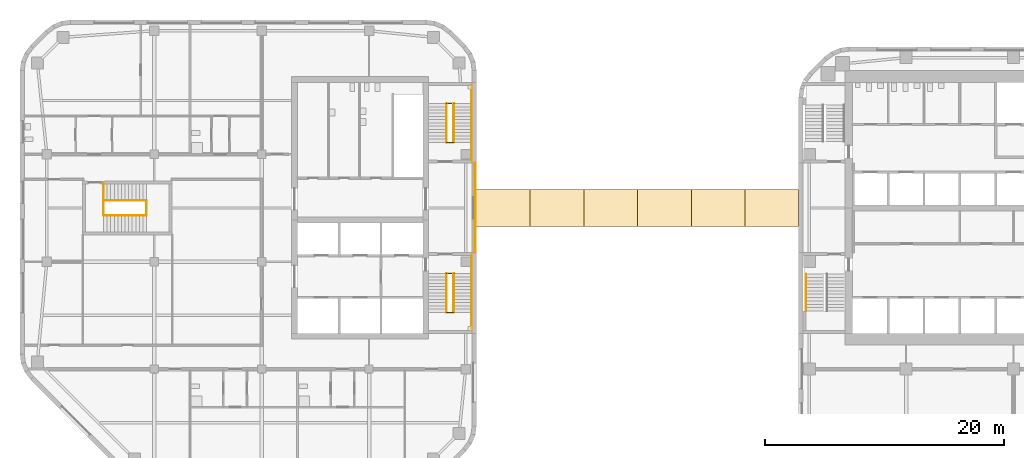
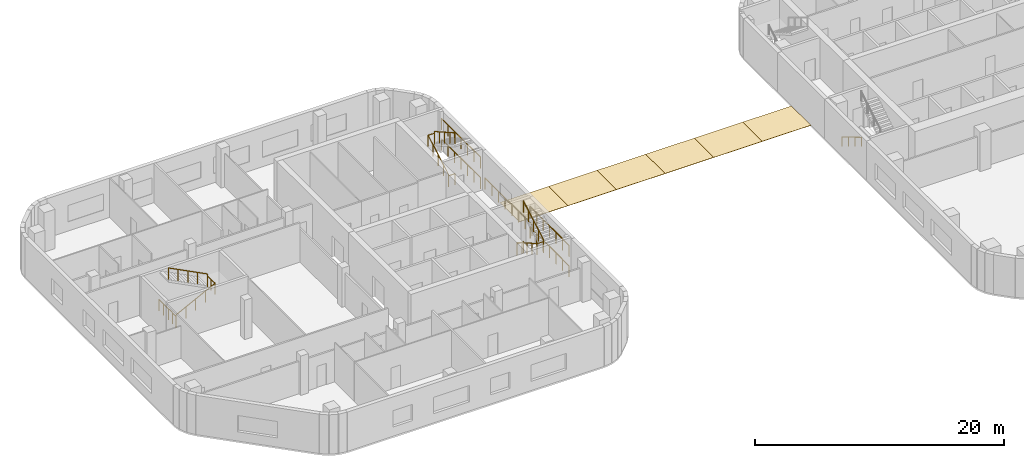
# One storey, part 13 of 15: 19 railings, 6 coverings, 1 element without a shape of its own.
"""IFC4 building model written with IfcOpenShell, lengths in metres."""

import ifcopenshell
import ifcopenshell.guid

model = None  # the IFC model being written
_history = None  # IfcOwnerHistory: only IFC2X3 demands one
_inside = {}  # id of a spatial element -> (the spatial element, [elements in it])
_under = {}  # id of a project, library or spatial element -> (it, [spatial elements below it])
_declared = {}  # id of a project -> (the project, [libraries it declares])
_typed = {}  # id of a type object -> (the type object, [elements of that type])
_made_of = {}  # id of a material, layer set ... -> (it, [elements and type objects made of it])


def new_model(schema):
    """Start an empty IFC model of exactly this schema.

    Asked for "IFC4X3", IfcOpenShell would pick the latest addendum, in which some entities
    have other attributes; the version numbers below select the first issue.
    IFC2X3 requires an IfcOwnerHistory on every rooted entity: one is made here for all.
    """
    global model, _history
    if schema == "IFC4X3":
        model = ifcopenshell.file(schema_version=(4, 3, 0, 0))
    else:
        model = ifcopenshell.file(schema=schema)
    _inside.clear()
    _under.clear()
    _declared.clear()
    _typed.clear()
    _made_of.clear()
    _history = None
    if model.schema == "IFC2X3":
        org = make("IfcOrganization", Name="unknown")
        user = make(
            "IfcPersonAndOrganization",
            ThePerson=make("IfcPerson", FamilyName="unknown"),
            TheOrganization=org,
        )
        app = make(
            "IfcApplication",
            ApplicationDeveloper=org,
            Version="unknown",
            ApplicationFullName="unknown",
            ApplicationIdentifier="unknown",
        )
        _history = make(
            "IfcOwnerHistory",
            OwningUser=user,
            OwningApplication=app,
            ChangeAction="ADDED",
            CreationDate=0,
        )
    return model


def make(cls, **values):
    """One entity of the class cls with the attributes given. An attribute that is None is left unset."""
    return model.create_entity(
        cls, **{name: value for name, value in values.items() if value is not None}
    )


def rooted(cls, **values):
    """An entity with a GlobalId (a new one), such as an element, a storey or a relation."""
    return make(cls, GlobalId=ifcopenshell.guid.new(), OwnerHistory=_history, **values)


def si_unit(unit_type, name, prefix=None):
    """IfcSIUnit, for example si_unit("LENGTHUNIT", "METRE", prefix="MILLI")."""
    return make("IfcSIUnit", UnitType=unit_type, Prefix=prefix, Name=name)


def assignment(units):
    """IfcUnitAssignment: the units of a project."""
    return None if units is None else make("IfcUnitAssignment", Units=units)


def point(xyz):
    """IfcCartesianPoint."""
    return None if xyz is None else make("IfcCartesianPoint", Coordinates=xyz)


def direction(xyz):
    """IfcDirection."""
    return None if xyz is None else make("IfcDirection", DirectionRatios=xyz)


def frame(location, z_axis=None, x_axis=None):
    """IfcAxis2Placement3D, a coordinate frame: its origin and axes. An axis left out is left unset."""
    return make(
        "IfcAxis2Placement3D",
        Location=point(location),
        Axis=direction(z_axis),
        RefDirection=direction(x_axis),
    )


def frame_2d(location, x_axis=None):
    """IfcAxis2Placement2D, a coordinate frame in the plane: its origin and x axis."""
    return make(
        "IfcAxis2Placement2D", Location=point(location), RefDirection=direction(x_axis)
    )


def origin():
    """The frame at (0, 0, 0) with its axes left unset."""
    return frame((0.0, 0.0, 0.0))


def origin_2d():
    """The frame at (0, 0) in the plane with its x axis left unset."""
    return frame_2d((0.0, 0.0))


def place(relative_to, where):
    """IfcLocalPlacement: puts the frame where relative to a parent placement (None: the world)."""
    return make(
        "IfcLocalPlacement", PlacementRelTo=relative_to, RelativePlacement=where
    )


def context(
    kind, dimensions, precision=None, world=None, true_north=None, identifier=None
):
    """IfcGeometricRepresentationContext, for example the 3D "Model" context."""
    return make(
        "IfcGeometricRepresentationContext",
        ContextIdentifier=identifier,
        ContextType=kind,
        CoordinateSpaceDimension=dimensions,
        Precision=precision,
        WorldCoordinateSystem=world,
        TrueNorth=true_north,
    )


def subcontext(parent, identifier, kind, view, scale=None):
    """IfcGeometricRepresentationSubContext, for example "Body" below "Model"."""
    return make(
        "IfcGeometricRepresentationSubContext",
        ContextIdentifier=identifier,
        ContextType=kind,
        ParentContext=parent,
        TargetScale=scale,
        TargetView=view,
    )


def project(units=None, contexts=None):
    """IfcProject with its units and contexts."""
    return rooted(
        "IfcProject",
        Name="project",
        RepresentationContexts=contexts,
        UnitsInContext=assignment(units),
    )


def spatial(cls, under=None, at=None, **own):
    """A site, building, storey or space (cls), placed at a placement, below another one or the project."""
    s = rooted(cls, ObjectPlacement=at, **own)
    if under is not None:
        _under.setdefault(under.id(), (under, []))[1].append(s)
    return s


def profile(cls, at=None, kind="AREA", **sizes):
    """A parametric profile (cls). Its sizes go by their IFC names, for example OverallWidth=200.0."""
    return make(cls, ProfileType=kind, Position=at, **sizes)


def rectangle(**sizes):
    """IfcRectangleProfileDef."""
    return profile("IfcRectangleProfileDef", **sizes)


def circle(**sizes):
    """IfcCircleProfileDef."""
    return profile("IfcCircleProfileDef", **sizes)


def extrude(swept, where, along, depth):
    """IfcExtrudedAreaSolid: the profile swept, set in the frame where, extruded along a direction by depth."""
    return make(
        "IfcExtrudedAreaSolid",
        SweptArea=swept,
        Position=where,
        ExtrudedDirection=direction(along),
        Depth=depth,
    )


def shape(context_of_items, identifier, shape_type, items):
    """IfcShapeRepresentation: the items that make up one representation, for example the "Body"."""
    return make(
        "IfcShapeRepresentation",
        ContextOfItems=context_of_items,
        RepresentationIdentifier=identifier,
        RepresentationType=shape_type,
        Items=items,
    )


def material(Name=None, Category=None):
    """IfcMaterial."""
    return make("IfcMaterial", Name=Name, Category=Category)


def layer(
    of_material, thickness, ventilated=None, Name=None, Category=None, Priority=None
):
    """IfcMaterialLayer: one layer of a wall or slab, of a material (None: an air gap)."""
    return make(
        "IfcMaterialLayer",
        Material=of_material,
        LayerThickness=thickness,
        IsVentilated=ventilated,
        Name=Name,
        Category=Category,
        Priority=Priority,
    )


def layer_set(layers, Name=None):
    """IfcMaterialLayerSet."""
    return make("IfcMaterialLayerSet", MaterialLayers=layers, LayerSetName=Name)


def made_of(thing, what):
    """Note that an element or type object is made of a material, layer set ...; save() writes the relation."""
    if what is not None:
        _made_of.setdefault(what.id(), (what, []))[1].append(thing)
    return thing


def type_object(cls, material=None, **own):
    """A type object (cls), such as IfcWallType, which elements share."""
    return made_of(rooted(cls, **own), material)


def element(
    cls,
    number,
    at=None,
    inside=None,
    cuts=None,
    type_object=None,
    material=None,
    context=None,
    identifier="Body",
    shape_type=None,
    held_by="IfcProductDefinitionShape",
    body=None,
    shapes=None,
    **own,
):
    """One element of the class cls, such as IfcWall. Its Tag is "e" and its number.

    at: its placement. inside: the storey or other place that contains it. cuts: it is an
    opening in that element (IfcRelVoidsElement). A single representation is given by context,
    identifier, shape_type and body (its items); several are given by shapes. held_by: the class
    of the entity that holds the representations. save() writes the other relations.
    """
    e = rooted(cls, Tag="e%d" % number, ObjectPlacement=at, **own)
    if body is not None:
        shapes = [shape(context, identifier, shape_type, body)]
    if shapes is not None:
        e.Representation = make(held_by, Representations=shapes)
    if inside is not None:
        _inside.setdefault(inside.id(), (inside, []))[1].append(e)
    if cuts is not None:
        rooted(
            "IfcRelVoidsElement", RelatingBuildingElement=cuts, RelatedOpeningElement=e
        )
    if type_object is not None:
        _typed.setdefault(type_object.id(), (type_object, []))[1].append(e)
    return made_of(e, material)


def aggregate(whole, parts):
    """IfcRelAggregates: a whole, such as a stair, and the parts it consists of."""
    return rooted("IfcRelAggregates", RelatingObject=whole, RelatedObjects=parts)


def save(model, path):
    """Write the relations noted so far, then the file.

    IfcRelAggregates (storeys below a building ...), IfcRelContainedInSpatialStructure (elements
    in a storey), IfcRelDefinesByType, IfcRelAssociatesMaterial and IfcRelDeclares: one each for
    every whole, place, type object, material and project.
    """
    for whole, parts in _under.values():
        aggregate(whole, parts)
    for where, things in _inside.values():
        rooted(
            "IfcRelContainedInSpatialStructure",
            RelatedElements=things,
            RelatingStructure=where,
        )
    for kind, things in _typed.values():
        rooted("IfcRelDefinesByType", RelatedObjects=things, RelatingType=kind)
    for what, things in _made_of.values():
        rooted("IfcRelAssociatesMaterial", RelatedObjects=things, RelatingMaterial=what)
    for by, libraries in _declared.values():
        rooted("IfcRelDeclares", RelatingContext=by, RelatedDefinitions=libraries)
    model.write(path)


model = new_model("IFC4")

# Units and contexts
model_context = context("Model", 3, precision=1e-05, world=origin(), true_north=direction((0.0, 1.0)))
body_context = subcontext(model_context, "Body", "Model", "MODEL_VIEW")
ifc_project = project(units=[si_unit("LENGTHUNIT", "METRE"), si_unit("AREAUNIT", "SQUARE_METRE"), si_unit("VOLUMEUNIT", "CUBIC_METRE"), si_unit("PLANEANGLEUNIT", "RADIAN"), si_unit("MASSUNIT", "GRAM", prefix="KILO")], contexts=[model_context])

# Site, building, storey
site_placement = place(None, origin())
site = spatial("IfcSite", under=ifc_project, at=site_placement, CompositionType="ELEMENT")
building_placement = place(site_placement, origin())
building = spatial("IfcBuilding", under=site, at=building_placement, Name="Cinnabar Reach Civic Tower", CompositionType="ELEMENT")
storey_placement = place(building_placement, frame((0.0, 0.0, 75.0)))
storey = spatial("IfcBuildingStorey", under=building, at=storey_placement, Name="L17", CompositionType="ELEMENT", Elevation=75.0)

# Coverings
ifc_material_1 = material(Name="Clear double glazing", Category="glass")
ifc_layer = layer(ifc_material_1, 0.03)
ifc_layer_set = layer_set([ifc_layer], Name="Bridge 1 enclosure roof glazing")
covering_type = type_object("IfcCoveringType", Name="Bridge 1 enclosure roof glazing", PredefinedType="ROOFING", material=ifc_layer_set)
for number, where, z_axis, x_axis, name in (
    (1, (-24.75, 31.5, -0.05), (0.0, 0.0, 1.0), (1.0, 0.0, 0.0), "Bridge 1 enclosure roof panel 1"),
    (2, (-20.25, 31.5, -0.05), (0.0, 0.0, 1.0), (1.0, 0.0, 0.0), "Bridge 1 enclosure roof panel 2"),
    (3, (-15.75, 31.5, -0.05), (0.0, 0.0, 1.0), (1.0, 0.0, 0.0), "Bridge 1 enclosure roof panel 3"),
    (4, (-11.25, 31.5, -0.05), (0.0, 0.0, 1.0), (1.0, 0.0, 0.0), "Bridge 1 enclosure roof panel 4"),
    (5, (-6.75, 31.5, -0.05), (0.0, 0.0, 1.0), (1.0, 0.0, 0.0), "Bridge 1 enclosure roof panel 5"),
    (6, (-2.25, 31.5, -0.05), (0.0, 0.0, 1.0), (1.0, 0.0, 0.0), "Bridge 1 enclosure roof panel 6"),
):
    element("IfcCovering", number, at=place(storey_placement, frame(where, z_axis=z_axis, x_axis=x_axis)), inside=storey, type_object=covering_type, Name=name, PredefinedType="ROOFING", context=body_context, shape_type="SweptSolid", body=[
        extrude(rectangle(XDim=4.5, YDim=3.12, at=origin_2d()), origin(), (0.0, 0.0, 1.0), 0.03),
    ])

# Stair, railing
ifc_material_2 = material(Name="Concrete C40/50", Category="concrete")
stair_type = type_object("IfcStairType", Name="T1 Exit stair, half-turn", PredefinedType="HALF_TURN_STAIR", material=ifc_material_2)
stair_placement = place(storey_placement, origin())
stair = element("IfcStair", 7, at=stair_placement, inside=storey, type_object=stair_type, Name="Stair T1-S1", PredefinedType="HALF_TURN_STAIR")
ifc_material_3 = material(Name="Stainless steel tube", Category="steel")
railing_type_1 = type_object("IfcRailingType", Name="T1 Stair handrail, stainless tube 48", PredefinedType="HANDRAIL", material=ifc_material_3)
railing_1_placement = place(storey_placement, frame((0.6, 25.95, 0.1667)))
railing_1 = element("IfcRailing", 8, at=railing_1_placement, type_object=railing_type_1, Name="T1-S1 handrail 1", PredefinedType="HANDRAIL", context=body_context, shape_type="SweptSolid", body=[
    extrude(circle(Radius=0.024, at=origin_2d()), frame((0.0, 0.0, 0.876), z_axis=(0.0, -0.859296971757, 0.511476992962), x_axis=(1.0, 0.0, 0.0)), (0.0, 0.0, 1.0), 3.5843),
    extrude(circle(Radius=0.021, at=origin_2d()), origin(), (0.0, 0.0, 1.0), 0.852),
    extrude(circle(Radius=0.021, at=origin_2d()), frame((0.0, -1.0267, 0.6111)), (0.0, 0.0, 1.0), 0.852),
    extrude(circle(Radius=0.021, at=origin_2d()), frame((0.0, -2.0533, 1.2222)), (0.0, 0.0, 1.0), 0.852),
    extrude(circle(Radius=0.021, at=origin_2d()), frame((0.0, -3.08, 1.8333)), (0.0, 0.0, 1.0), 0.852),
])
aggregate(stair, [railing_1])

# Railings
ifc_material_4 = material(Name="Stainless steel", Category="steel")
railing_type_2 = type_object("IfcRailingType", Name="T2 Stair guard 1100", PredefinedType="GUARDRAIL", material=ifc_material_4)
railing_2_placement = place(storey_placement, frame((-27.1, 27.75, 0.0)))
element("IfcRailing", 9, at=railing_2_placement, inside=storey, type_object=railing_type_2, Name="Corridor end guard", PredefinedType="GUARDRAIL", context=body_context, shape_type="SweptSolid", body=[
    extrude(circle(Radius=0.024, at=origin_2d()), frame((0.0, 0.0, 1.076), z_axis=(0.0, 1.0, 0.0), x_axis=(-1.0, 0.0, 0.0)), (0.0, 0.0, 1.0), 7.5),
    extrude(circle(Radius=0.021, at=origin_2d()), origin(), (0.0, 0.0, 1.0), 1.052),
    extrude(circle(Radius=0.021, at=origin_2d()), frame((0.0, 1.0714, 0.0)), (0.0, 0.0, 1.0), 1.052),
    extrude(circle(Radius=0.021, at=origin_2d()), frame((0.0, 2.1429, 0.0)), (0.0, 0.0, 1.0), 1.052),
    extrude(circle(Radius=0.021, at=origin_2d()), frame((0.0, 3.2143, 0.0)), (0.0, 0.0, 1.0), 1.052),
    extrude(circle(Radius=0.021, at=origin_2d()), frame((0.0, 4.2857, 0.0)), (0.0, 0.0, 1.0), 1.052),
    extrude(circle(Radius=0.021, at=origin_2d()), frame((0.0, 5.3571, 0.0)), (0.0, 0.0, 1.0), 1.052),
    extrude(circle(Radius=0.021, at=origin_2d()), frame((0.0, 6.4286, 0.0)), (0.0, 0.0, 1.0), 1.052),
    extrude(circle(Radius=0.021, at=origin_2d()), frame((0.0, 7.5, 0.0)), (0.0, 0.0, 1.0), 1.052),
])
for number, where, name in (
    (10, (-27.4, 21.25, 0.0), "Stair guard 1"),
    (11, (-27.4, 21.25, 2.0), "Stair guard 1"),
):
    element("IfcRailing", number, at=place(storey_placement, frame(where)), inside=storey, type_object=railing_type_2, Name=name, PredefinedType="GUARDRAIL", context=body_context, shape_type="SweptSolid", body=[
        extrude(circle(Radius=0.024, at=origin_2d()), frame((0.0, 0.0, 1.076), z_axis=(0.0, 1.0, 0.0), x_axis=(-1.0, 0.0, 0.0)), (0.0, 0.0, 1.0), 6.25),
        extrude(circle(Radius=0.021, at=origin_2d()), origin(), (0.0, 0.0, 1.0), 1.052),
        extrude(circle(Radius=0.021, at=origin_2d()), frame((0.0, 1.0417, 0.0)), (0.0, 0.0, 1.0), 1.052),
        extrude(circle(Radius=0.021, at=origin_2d()), frame((0.0, 2.0833, 0.0)), (0.0, 0.0, 1.0), 1.052),
        extrude(circle(Radius=0.021, at=origin_2d()), frame((0.0, 3.125, 0.0)), (0.0, 0.0, 1.0), 1.052),
        extrude(circle(Radius=0.021, at=origin_2d()), frame((0.0, 4.1667, 0.0)), (0.0, 0.0, 1.0), 1.052),
        extrude(circle(Radius=0.021, at=origin_2d()), frame((0.0, 5.2083, 0.0)), (0.0, 0.0, 1.0), 1.052),
        extrude(circle(Radius=0.021, at=origin_2d()), frame((0.0, 6.25, 0.0)), (0.0, 0.0, 1.0), 1.052),
    ])
for number, where, name in (
    (12, (-29.5, 26.0, 0.0), "Stair guard 1"),
    (13, (-29.5, 22.75, 2.0), "Stair guard 1"),
):
    element("IfcRailing", number, at=place(storey_placement, frame(where)), inside=storey, type_object=railing_type_2, Name=name, PredefinedType="GUARDRAIL", context=body_context, shape_type="SweptSolid", body=[
        extrude(circle(Radius=0.024, at=origin_2d()), frame((0.0, 0.0, 1.076), z_axis=(1.0, 0.0, 0.0), x_axis=(0.0, 1.0, 0.0)), (0.0, 0.0, 1.0), 0.6),
        extrude(circle(Radius=0.021, at=origin_2d()), origin(), (0.0, 0.0, 1.0), 1.052),
        extrude(circle(Radius=0.021, at=origin_2d()), frame((0.6, 0.0, 0.0)), (0.0, 0.0, 1.0), 1.052),
    ])
railing_3_placement = place(storey_placement, frame((-29.5, 26.0, 0.1538)))
element("IfcRailing", 14, at=railing_3_placement, inside=storey, type_object=railing_type_2, Name="Stair guard 1", PredefinedType="GUARDRAIL", context=body_context, shape_type="SweptSolid", body=[
    extrude(circle(Radius=0.024, at=origin_2d()), frame((0.0, 0.0, 1.076), z_axis=(0.0, -0.869501474428, 0.493930345258), x_axis=(1.0, 0.0, 0.0)), (0.0, 0.0, 1.0), 3.7378),
    extrude(circle(Radius=0.021, at=origin_2d()), origin(), (0.0, 0.0, 1.0), 1.052),
    extrude(circle(Radius=0.021, at=origin_2d()), frame((0.0, -0.8125, 0.4615)), (0.0, 0.0, 1.0), 1.052),
    extrude(circle(Radius=0.021, at=origin_2d()), frame((0.0, -1.625, 0.9231)), (0.0, 0.0, 1.0), 1.052),
    extrude(circle(Radius=0.021, at=origin_2d()), frame((0.0, -2.4375, 1.3846)), (0.0, 0.0, 1.0), 1.052),
    extrude(circle(Radius=0.021, at=origin_2d()), frame((0.0, -3.25, 1.8462)), (0.0, 0.0, 1.0), 1.052),
])
railing_4_placement = place(storey_placement, frame((-28.9, 22.75, 2.1538)))
element("IfcRailing", 15, at=railing_4_placement, inside=storey, type_object=railing_type_2, Name="Stair guard 1", PredefinedType="GUARDRAIL", context=body_context, shape_type="SweptSolid", body=[
    extrude(circle(Radius=0.024, at=origin_2d()), frame((0.0, 0.0, 1.076), z_axis=(0.0, 0.869501474428, 0.493930345258), x_axis=(-1.0, 0.0, 0.0)), (0.0, 0.0, 1.0), 3.7378),
    extrude(circle(Radius=0.021, at=origin_2d()), origin(), (0.0, 0.0, 1.0), 1.052),
    extrude(circle(Radius=0.021, at=origin_2d()), frame((0.0, 0.8125, 0.4615)), (0.0, 0.0, 1.0), 1.052),
    extrude(circle(Radius=0.021, at=origin_2d()), frame((0.0, 1.625, 0.9231)), (0.0, 0.0, 1.0), 1.052),
    extrude(circle(Radius=0.021, at=origin_2d()), frame((0.0, 2.4375, 1.3846)), (0.0, 0.0, 1.0), 1.052),
    extrude(circle(Radius=0.021, at=origin_2d()), frame((0.0, 3.25, 1.8462)), (0.0, 0.0, 1.0), 1.052),
])
for number, where, name in (
    (16, (-27.4, 35.5, 0.0), "Stair guard 2"),
    (17, (-27.4, 35.5, 2.0), "Stair guard 2"),
):
    element("IfcRailing", number, at=place(storey_placement, frame(where)), inside=storey, type_object=railing_type_2, Name=name, PredefinedType="GUARDRAIL", context=body_context, shape_type="SweptSolid", body=[
        extrude(circle(Radius=0.024, at=origin_2d()), frame((0.0, 0.0, 1.076), z_axis=(0.0, 1.0, 0.0), x_axis=(-1.0, 0.0, 0.0)), (0.0, 0.0, 1.0), 6.25),
        extrude(circle(Radius=0.021, at=origin_2d()), origin(), (0.0, 0.0, 1.0), 1.052),
        extrude(circle(Radius=0.021, at=origin_2d()), frame((0.0, 1.0417, 0.0)), (0.0, 0.0, 1.0), 1.052),
        extrude(circle(Radius=0.021, at=origin_2d()), frame((0.0, 2.0833, 0.0)), (0.0, 0.0, 1.0), 1.052),
        extrude(circle(Radius=0.021, at=origin_2d()), frame((0.0, 3.125, 0.0)), (0.0, 0.0, 1.0), 1.052),
        extrude(circle(Radius=0.021, at=origin_2d()), frame((0.0, 4.1667, 0.0)), (0.0, 0.0, 1.0), 1.052),
        extrude(circle(Radius=0.021, at=origin_2d()), frame((0.0, 5.2083, 0.0)), (0.0, 0.0, 1.0), 1.052),
        extrude(circle(Radius=0.021, at=origin_2d()), frame((0.0, 6.25, 0.0)), (0.0, 0.0, 1.0), 1.052),
    ])
for number, where, name in (
    (18, (-29.5, 37.0, 0.0), "Stair guard 2"),
    (19, (-29.5, 40.25, 2.0), "Stair guard 2"),
):
    element("IfcRailing", number, at=place(storey_placement, frame(where)), inside=storey, type_object=railing_type_2, Name=name, PredefinedType="GUARDRAIL", context=body_context, shape_type="SweptSolid", body=[
        extrude(circle(Radius=0.024, at=origin_2d()), frame((0.0, 0.0, 1.076), z_axis=(1.0, 0.0, 0.0), x_axis=(0.0, 1.0, 0.0)), (0.0, 0.0, 1.0), 0.6),
        extrude(circle(Radius=0.021, at=origin_2d()), origin(), (0.0, 0.0, 1.0), 1.052),
        extrude(circle(Radius=0.021, at=origin_2d()), frame((0.6, 0.0, 0.0)), (0.0, 0.0, 1.0), 1.052),
    ])
railing_5_placement = place(storey_placement, frame((-29.5, 37.0, 0.1538)))
element("IfcRailing", 20, at=railing_5_placement, inside=storey, type_object=railing_type_2, Name="Stair guard 2", PredefinedType="GUARDRAIL", context=body_context, shape_type="SweptSolid", body=[
    extrude(circle(Radius=0.024, at=origin_2d()), frame((0.0, 0.0, 1.076), z_axis=(0.0, 0.869501474428, 0.493930345258), x_axis=(-1.0, 0.0, 0.0)), (0.0, 0.0, 1.0), 3.7378),
    extrude(circle(Radius=0.021, at=origin_2d()), origin(), (0.0, 0.0, 1.0), 1.052),
    extrude(circle(Radius=0.021, at=origin_2d()), frame((0.0, 0.8125, 0.4615)), (0.0, 0.0, 1.0), 1.052),
    extrude(circle(Radius=0.021, at=origin_2d()), frame((0.0, 1.625, 0.9231)), (0.0, 0.0, 1.0), 1.052),
    extrude(circle(Radius=0.021, at=origin_2d()), frame((0.0, 2.4375, 1.3846)), (0.0, 0.0, 1.0), 1.052),
    extrude(circle(Radius=0.021, at=origin_2d()), frame((0.0, 3.25, 1.8462)), (0.0, 0.0, 1.0), 1.052),
])
railing_6_placement = place(storey_placement, frame((-28.9, 40.25, 2.1538)))
element("IfcRailing", 21, at=railing_6_placement, inside=storey, type_object=railing_type_2, Name="Stair guard 2", PredefinedType="GUARDRAIL", context=body_context, shape_type="SweptSolid", body=[
    extrude(circle(Radius=0.024, at=origin_2d()), frame((0.0, 0.0, 1.076), z_axis=(0.0, -0.869501474428, 0.493930345258), x_axis=(1.0, 0.0, 0.0)), (0.0, 0.0, 1.0), 3.7378),
    extrude(circle(Radius=0.021, at=origin_2d()), origin(), (0.0, 0.0, 1.0), 1.052),
    extrude(circle(Radius=0.021, at=origin_2d()), frame((0.0, -0.8125, 0.4615)), (0.0, 0.0, 1.0), 1.052),
    extrude(circle(Radius=0.021, at=origin_2d()), frame((0.0, -1.625, 0.9231)), (0.0, 0.0, 1.0), 1.052),
    extrude(circle(Radius=0.021, at=origin_2d()), frame((0.0, -2.4375, 1.3846)), (0.0, 0.0, 1.0), 1.052),
    extrude(circle(Radius=0.021, at=origin_2d()), frame((0.0, -3.25, 1.8462)), (0.0, 0.0, 1.0), 1.052),
])
railing_7_placement = place(storey_placement, frame((-58.25, 30.875, 0.0)))
element("IfcRailing", 22, at=railing_7_placement, inside=storey, type_object=railing_type_2, Name="Stair guard 3", PredefinedType="GUARDRAIL", context=body_context, shape_type="SweptSolid", body=[
    extrude(circle(Radius=0.024, at=origin_2d()), frame((0.0, 0.0, 1.076), z_axis=(0.0, 1.0, 0.0), x_axis=(-1.0, 0.0, 0.0)), (0.0, 0.0, 1.0), 1.25),
    extrude(circle(Radius=0.021, at=origin_2d()), origin(), (0.0, 0.0, 1.0), 1.052),
    extrude(circle(Radius=0.021, at=origin_2d()), frame((0.0, 0.625, 0.0)), (0.0, 0.0, 1.0), 1.052),
    extrude(circle(Radius=0.021, at=origin_2d()), frame((0.0, 1.25, 0.0)), (0.0, 0.0, 1.0), 1.052),
])
railing_8_placement = place(storey_placement, frame((-58.25, 32.125, 0.0)))
element("IfcRailing", 23, at=railing_8_placement, inside=storey, type_object=railing_type_2, Name="Stair guard 3", PredefinedType="GUARDRAIL", context=body_context, shape_type="SweptSolid", body=[
    extrude(circle(Radius=0.024, at=origin_2d()), frame((0.0, 0.0, 1.076), z_axis=(0.0, 1.0, 0.0), x_axis=(-1.0, 0.0, 0.0)), (0.0, 0.0, 1.0), 1.5),
    extrude(circle(Radius=0.021, at=origin_2d()), origin(), (0.0, 0.0, 1.0), 1.052),
    extrude(circle(Radius=0.021, at=origin_2d()), frame((0.0, 0.75, 0.0)), (0.0, 0.0, 1.0), 1.052),
    extrude(circle(Radius=0.021, at=origin_2d()), frame((0.0, 1.5, 0.0)), (0.0, 0.0, 1.0), 1.052),
])
railing_9_placement = place(storey_placement, frame((-54.65, 30.875, 2.0)))
element("IfcRailing", 24, at=railing_9_placement, inside=storey, type_object=railing_type_2, Name="Stair guard 3", PredefinedType="GUARDRAIL", context=body_context, shape_type="SweptSolid", body=[
    extrude(circle(Radius=0.024, at=origin_2d()), frame((0.0, 0.0, 1.076), z_axis=(0.0, 1.0, 0.0), x_axis=(-1.0, 0.0, 0.0)), (0.0, 0.0, 1.0), 1.25),
    extrude(circle(Radius=0.021, at=origin_2d()), origin(), (0.0, 0.0, 1.0), 1.052),
    extrude(circle(Radius=0.021, at=origin_2d()), frame((0.0, 0.625, 0.0)), (0.0, 0.0, 1.0), 1.052),
    extrude(circle(Radius=0.021, at=origin_2d()), frame((0.0, 1.25, 0.0)), (0.0, 0.0, 1.0), 1.052),
])
railing_10_placement = place(storey_placement, frame((-58.25, 30.875, 0.1538)))
element("IfcRailing", 25, at=railing_10_placement, inside=storey, type_object=railing_type_2, Name="Stair guard 3", PredefinedType="GUARDRAIL", context=body_context, shape_type="SweptSolid", body=[
    extrude(circle(Radius=0.024, at=origin_2d()), frame((0.0, 0.0, 1.076), z_axis=(0.889812830738, 0.0, 0.45632568003), x_axis=(0.0, 1.0, 0.0)), (0.0, 0.0, 1.0), 4.0458),
    extrude(circle(Radius=0.021, at=origin_2d()), origin(), (0.0, 0.0, 1.0), 1.052),
    extrude(circle(Radius=0.021, at=origin_2d()), frame((0.9, 0.0, 0.4615)), (0.0, 0.0, 1.0), 1.052),
    extrude(circle(Radius=0.021, at=origin_2d()), frame((1.8, 0.0, 0.9231)), (0.0, 0.0, 1.0), 1.052),
    extrude(circle(Radius=0.021, at=origin_2d()), frame((2.7, 0.0, 1.3846)), (0.0, 0.0, 1.0), 1.052),
    extrude(circle(Radius=0.021, at=origin_2d()), frame((3.6, 0.0, 1.8462)), (0.0, 0.0, 1.0), 1.052),
])
railing_11_placement = place(storey_placement, frame((-54.65, 32.125, 2.1538)))
element("IfcRailing", 26, at=railing_11_placement, inside=storey, type_object=railing_type_2, Name="Stair guard 3", PredefinedType="GUARDRAIL", context=body_context, shape_type="SweptSolid", body=[
    extrude(circle(Radius=0.024, at=origin_2d()), frame((0.0, 0.0, 1.076), z_axis=(-0.889812830738, 0.0, 0.45632568003), x_axis=(0.0, -1.0, 0.0)), (0.0, 0.0, 1.0), 4.0458),
    extrude(circle(Radius=0.021, at=origin_2d()), origin(), (0.0, 0.0, 1.0), 1.052),
    extrude(circle(Radius=0.021, at=origin_2d()), frame((-0.9, 0.0, 0.4615)), (0.0, 0.0, 1.0), 1.052),
    extrude(circle(Radius=0.021, at=origin_2d()), frame((-1.8, 0.0, 0.9231)), (0.0, 0.0, 1.0), 1.052),
    extrude(circle(Radius=0.021, at=origin_2d()), frame((-2.7, 0.0, 1.3846)), (0.0, 0.0, 1.0), 1.052),
    extrude(circle(Radius=0.021, at=origin_2d()), frame((-3.6, 0.0, 1.8462)), (0.0, 0.0, 1.0), 1.052),
])

save(model, "model.ifc")
